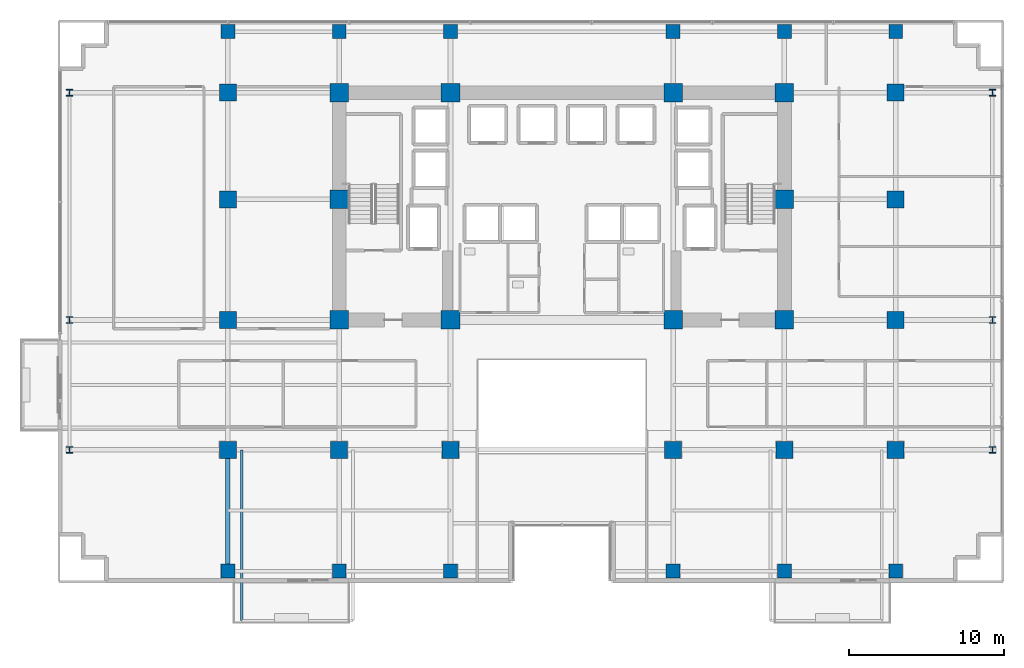
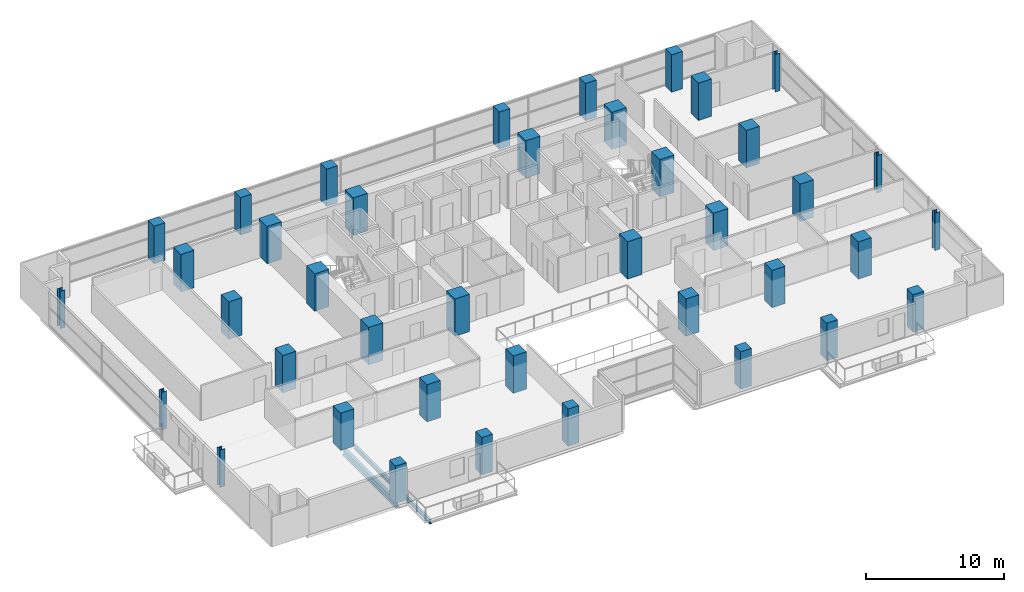
# One storey, part 1 of 31: 40 columns, 2 beams.
"""IFC4 building model written with IfcOpenShell, lengths in metres."""

import ifcopenshell
import ifcopenshell.guid

model = None  # the IFC model being written
_history = None  # IfcOwnerHistory: only IFC2X3 demands one
_inside = {}  # id of a spatial element -> (the spatial element, [elements in it])
_under = {}  # id of a project, library or spatial element -> (it, [spatial elements below it])
_declared = {}  # id of a project -> (the project, [libraries it declares])
_typed = {}  # id of a type object -> (the type object, [elements of that type])
_made_of = {}  # id of a material, layer set ... -> (it, [elements and type objects made of it])


def new_model(schema):
    """Start an empty IFC model of exactly this schema.

    Asked for "IFC4X3", IfcOpenShell would pick the latest addendum, in which some entities
    have other attributes; the version numbers below select the first issue.
    IFC2X3 requires an IfcOwnerHistory on every rooted entity: one is made here for all.
    """
    global model, _history
    if schema == "IFC4X3":
        model = ifcopenshell.file(schema_version=(4, 3, 0, 0))
    else:
        model = ifcopenshell.file(schema=schema)
    _inside.clear()
    _under.clear()
    _declared.clear()
    _typed.clear()
    _made_of.clear()
    _history = None
    if model.schema == "IFC2X3":
        org = make("IfcOrganization", Name="unknown")
        user = make(
            "IfcPersonAndOrganization",
            ThePerson=make("IfcPerson", FamilyName="unknown"),
            TheOrganization=org,
        )
        app = make(
            "IfcApplication",
            ApplicationDeveloper=org,
            Version="unknown",
            ApplicationFullName="unknown",
            ApplicationIdentifier="unknown",
        )
        _history = make(
            "IfcOwnerHistory",
            OwningUser=user,
            OwningApplication=app,
            ChangeAction="ADDED",
            CreationDate=0,
        )
    return model


def make(cls, **values):
    """One entity of the class cls with the attributes given. An attribute that is None is left unset."""
    return model.create_entity(
        cls, **{name: value for name, value in values.items() if value is not None}
    )


def rooted(cls, **values):
    """An entity with a GlobalId (a new one), such as an element, a storey or a relation."""
    return make(cls, GlobalId=ifcopenshell.guid.new(), OwnerHistory=_history, **values)


def si_unit(unit_type, name, prefix=None):
    """IfcSIUnit, for example si_unit("LENGTHUNIT", "METRE", prefix="MILLI")."""
    return make("IfcSIUnit", UnitType=unit_type, Prefix=prefix, Name=name)


def assignment(units):
    """IfcUnitAssignment: the units of a project."""
    return None if units is None else make("IfcUnitAssignment", Units=units)


def point(xyz):
    """IfcCartesianPoint."""
    return None if xyz is None else make("IfcCartesianPoint", Coordinates=xyz)


def direction(xyz):
    """IfcDirection."""
    return None if xyz is None else make("IfcDirection", DirectionRatios=xyz)


def frame(location, z_axis=None, x_axis=None):
    """IfcAxis2Placement3D, a coordinate frame: its origin and axes. An axis left out is left unset."""
    return make(
        "IfcAxis2Placement3D",
        Location=point(location),
        Axis=direction(z_axis),
        RefDirection=direction(x_axis),
    )


def frame_2d(location, x_axis=None):
    """IfcAxis2Placement2D, a coordinate frame in the plane: its origin and x axis."""
    return make(
        "IfcAxis2Placement2D", Location=point(location), RefDirection=direction(x_axis)
    )


def origin():
    """The frame at (0, 0, 0) with its axes left unset."""
    return frame((0.0, 0.0, 0.0))


def origin_2d():
    """The frame at (0, 0) in the plane with its x axis left unset."""
    return frame_2d((0.0, 0.0))


def place(relative_to, where):
    """IfcLocalPlacement: puts the frame where relative to a parent placement (None: the world)."""
    return make(
        "IfcLocalPlacement", PlacementRelTo=relative_to, RelativePlacement=where
    )


def context(
    kind, dimensions, precision=None, world=None, true_north=None, identifier=None
):
    """IfcGeometricRepresentationContext, for example the 3D "Model" context."""
    return make(
        "IfcGeometricRepresentationContext",
        ContextIdentifier=identifier,
        ContextType=kind,
        CoordinateSpaceDimension=dimensions,
        Precision=precision,
        WorldCoordinateSystem=world,
        TrueNorth=true_north,
    )


def subcontext(parent, identifier, kind, view, scale=None):
    """IfcGeometricRepresentationSubContext, for example "Body" below "Model"."""
    return make(
        "IfcGeometricRepresentationSubContext",
        ContextIdentifier=identifier,
        ContextType=kind,
        ParentContext=parent,
        TargetScale=scale,
        TargetView=view,
    )


def project(units=None, contexts=None):
    """IfcProject with its units and contexts."""
    return rooted(
        "IfcProject",
        Name="project",
        RepresentationContexts=contexts,
        UnitsInContext=assignment(units),
    )


def spatial(cls, under=None, at=None, **own):
    """A site, building, storey or space (cls), placed at a placement, below another one or the project."""
    s = rooted(cls, ObjectPlacement=at, **own)
    if under is not None:
        _under.setdefault(under.id(), (under, []))[1].append(s)
    return s


def profile(cls, at=None, kind="AREA", **sizes):
    """A parametric profile (cls). Its sizes go by their IFC names, for example OverallWidth=200.0."""
    return make(cls, ProfileType=kind, Position=at, **sizes)


def rectangle(**sizes):
    """IfcRectangleProfileDef."""
    return profile("IfcRectangleProfileDef", **sizes)


def i_section(**sizes):
    """IfcIShapeProfileDef."""
    return profile("IfcIShapeProfileDef", **sizes)


def extrude(swept, where, along, depth):
    """IfcExtrudedAreaSolid: the profile swept, set in the frame where, extruded along a direction by depth."""
    return make(
        "IfcExtrudedAreaSolid",
        SweptArea=swept,
        Position=where,
        ExtrudedDirection=direction(along),
        Depth=depth,
    )


def shape(context_of_items, identifier, shape_type, items):
    """IfcShapeRepresentation: the items that make up one representation, for example the "Body"."""
    return make(
        "IfcShapeRepresentation",
        ContextOfItems=context_of_items,
        RepresentationIdentifier=identifier,
        RepresentationType=shape_type,
        Items=items,
    )


def material(Name=None, Category=None):
    """IfcMaterial."""
    return make("IfcMaterial", Name=Name, Category=Category)


def material_profile(
    of_material, cross_section, Name=None, Category=None, Priority=None
):
    """IfcMaterialProfile: a cross section and its material."""
    return make(
        "IfcMaterialProfile",
        Name=Name,
        Material=of_material,
        Profile=cross_section,
        Priority=Priority,
        Category=Category,
    )


def profile_set(profiles, Name=None, composite=None):
    """IfcMaterialProfileSet."""
    return make(
        "IfcMaterialProfileSet",
        Name=Name,
        MaterialProfiles=profiles,
        CompositeProfile=composite,
    )


def made_of(thing, what):
    """Note that an element or type object is made of a material, layer set ...; save() writes the relation."""
    if what is not None:
        _made_of.setdefault(what.id(), (what, []))[1].append(thing)
    return thing


def type_object(cls, material=None, **own):
    """A type object (cls), such as IfcWallType, which elements share."""
    return made_of(rooted(cls, **own), material)


def element(
    cls,
    number,
    at=None,
    inside=None,
    cuts=None,
    type_object=None,
    material=None,
    context=None,
    identifier="Body",
    shape_type=None,
    held_by="IfcProductDefinitionShape",
    body=None,
    shapes=None,
    **own,
):
    """One element of the class cls, such as IfcWall. Its Tag is "e" and its number.

    at: its placement. inside: the storey or other place that contains it. cuts: it is an
    opening in that element (IfcRelVoidsElement). A single representation is given by context,
    identifier, shape_type and body (its items); several are given by shapes. held_by: the class
    of the entity that holds the representations. save() writes the other relations.
    """
    e = rooted(cls, Tag="e%d" % number, ObjectPlacement=at, **own)
    if body is not None:
        shapes = [shape(context, identifier, shape_type, body)]
    if shapes is not None:
        e.Representation = make(held_by, Representations=shapes)
    if inside is not None:
        _inside.setdefault(inside.id(), (inside, []))[1].append(e)
    if cuts is not None:
        rooted(
            "IfcRelVoidsElement", RelatingBuildingElement=cuts, RelatedOpeningElement=e
        )
    if type_object is not None:
        _typed.setdefault(type_object.id(), (type_object, []))[1].append(e)
    return made_of(e, material)


def aggregate(whole, parts):
    """IfcRelAggregates: a whole, such as a stair, and the parts it consists of."""
    return rooted("IfcRelAggregates", RelatingObject=whole, RelatedObjects=parts)


def save(model, path):
    """Write the relations noted so far, then the file.

    IfcRelAggregates (storeys below a building ...), IfcRelContainedInSpatialStructure (elements
    in a storey), IfcRelDefinesByType, IfcRelAssociatesMaterial and IfcRelDeclares: one each for
    every whole, place, type object, material and project.
    """
    for whole, parts in _under.values():
        aggregate(whole, parts)
    for where, things in _inside.values():
        rooted(
            "IfcRelContainedInSpatialStructure",
            RelatedElements=things,
            RelatingStructure=where,
        )
    for kind, things in _typed.values():
        rooted("IfcRelDefinesByType", RelatedObjects=things, RelatingType=kind)
    for what, things in _made_of.values():
        rooted("IfcRelAssociatesMaterial", RelatedObjects=things, RelatingMaterial=what)
    for by, libraries in _declared.values():
        rooted("IfcRelDeclares", RelatingContext=by, RelatedDefinitions=libraries)
    model.write(path)


model = new_model("IFC4")

# Units and contexts
model_context = context("Model", 3, precision=1e-05, world=origin(), true_north=direction((0.0, 1.0)))
body_context = subcontext(model_context, "Body", "Model", "MODEL_VIEW")
ifc_project = project(units=[si_unit("LENGTHUNIT", "METRE"), si_unit("AREAUNIT", "SQUARE_METRE"), si_unit("VOLUMEUNIT", "CUBIC_METRE"), si_unit("PLANEANGLEUNIT", "RADIAN"), si_unit("MASSUNIT", "GRAM", prefix="KILO")], contexts=[model_context])

# Site, building, storey
site_placement = place(None, origin())
site = spatial("IfcSite", under=ifc_project, at=site_placement, CompositionType="ELEMENT")
building_placement = place(site_placement, origin())
building = spatial("IfcBuilding", under=site, at=building_placement, Name="Zarnakvel Exchange Tower", CompositionType="ELEMENT")
storey_placement = place(building_placement, frame((0.0, 0.0, 47.199951171875)))
storey = spatial("IfcBuildingStorey", under=building, at=storey_placement, Name="L12", CompositionType="ELEMENT", Elevation=47.199951171875)

# Columns
ifc_material_1 = material(Name="Concrete C80/95", Category="concrete")
ifc_material_profile_1 = material_profile(ifc_material_1, rectangle(XDim=1.199951171875, YDim=1.199951171875, at=origin_2d()))
ifc_profile_set_1 = profile_set([ifc_material_profile_1], Name="Concrete C80/95")
column_type_1 = type_object("IfcColumnType", Name="CC-01", PredefinedType="COLUMN", material=ifc_profile_set_1)
for number, where, z_axis, x_axis, name in (
    (1, (-14.39990234375, -1.199951171875, 0.0), (0.0, 0.0, 1.0), (1.0, 0.0, 0.0), "L12 Column C-4D (CC-01)"),
    (2, (-7.199951171875, -1.199951171875, 0.0), (0.0, 0.0, 1.0), (1.0, 0.0, 0.0), "L12 Column C-5D (CC-01)"),
    (3, (7.199951171875, -1.199951171875, 0.0), (0.0, 0.0, 1.0), (1.0, 0.0, 0.0), "L12 Column C-8D (CC-01)"),
    (4, (14.39990234375, -1.199951171875, 0.0), (0.0, 0.0, 1.0), (1.0, 0.0, 0.0), "L12 Column C-9D (CC-01)"),
    (5, (-14.39990234375, 6.60009765625, 0.0), (0.0, 0.0, 1.0), (1.0, 0.0, 0.0), "L12 Column C-4E (CC-01)"),
    (6, (14.39990234375, 6.60009765625, 0.0), (0.0, 0.0, 1.0), (1.0, 0.0, 0.0), "L12 Column C-9E (CC-01)"),
    (7, (-14.39990234375, 13.5, 0.0), (0.0, 0.0, 1.0), (1.0, 0.0, 0.0), "L12 Column C-4F (CC-01)"),
    (8, (-7.199951171875, 13.5, 0.0), (0.0, 0.0, 1.0), (1.0, 0.0, 0.0), "L12 Column C-5F (CC-01)"),
    (9, (7.199951171875, 13.5, 0.0), (0.0, 0.0, 1.0), (1.0, 0.0, 0.0), "L12 Column C-8F (CC-01)"),
    (10, (14.39990234375, 13.5, 0.0), (0.0, 0.0, 1.0), (1.0, 0.0, 0.0), "L12 Column C-9F (CC-01)"),
):
    element("IfcColumn", number, at=place(storey_placement, frame(where, z_axis=z_axis, x_axis=x_axis)), inside=storey, type_object=column_type_1, Name=name, PredefinedType="COLUMN", context=body_context, shape_type="SweptSolid", body=[
        extrude(rectangle(XDim=1.199951171875, YDim=1.199951171875, at=origin_2d()), origin(), (0.0, 0.0, 1.0), 3.300048828125),
    ])
ifc_material_2 = material(Name="Steel S355", Category="steel")
ifc_material_profile_2 = material_profile(ifc_material_2, i_section(OverallWidth=0.412109375, OverallDepth=0.425048828125, WebThickness=0.02587890625, FlangeThickness=0.0390625, FilletRadius=0.014892578125, at=origin_2d()))
ifc_profile_set_2 = profile_set([ifc_material_profile_2], Name="Steel S355")
column_type_2 = type_object("IfcColumnType", Name="SC-01", PredefinedType="COLUMN", material=ifc_profile_set_2)
for number, where, z_axis, x_axis, name in (
    (11, (-31.85009765625, -9.60009765625, 0.0), (0.0, 0.0, 1.0), (1.0, 0.0, 0.0), "L12 Column TW-C (SC-01)"),
    (12, (27.85009765625, -9.60009765625, 0.0), (0.0, 0.0, 1.0), (1.0, 0.0, 0.0), "L12 Column TE-C (SC-01)"),
    (13, (-31.85009765625, -1.199951171875, 0.0), (0.0, 0.0, 1.0), (1.0, 0.0, 0.0), "L12 Column TW-D (SC-01)"),
    (14, (27.85009765625, -1.199951171875, 0.0), (0.0, 0.0, 1.0), (1.0, 0.0, 0.0), "L12 Column TE-D (SC-01)"),
    (15, (-31.85009765625, 13.5, 0.0), (0.0, 0.0, 1.0), (1.0, 0.0, 0.0), "L12 Column TW-F (SC-01)"),
    (16, (27.85009765625, 13.5, 0.0), (0.0, 0.0, 1.0), (1.0, 0.0, 0.0), "L12 Column TE-F (SC-01)"),
):
    element("IfcColumn", number, at=place(storey_placement, frame(where, z_axis=z_axis, x_axis=x_axis)), inside=storey, type_object=column_type_2, Name=name, PredefinedType="COLUMN", context=body_context, shape_type="SweptSolid", body=[
        extrude(i_section(OverallWidth=0.412109375, OverallDepth=0.425048828125, WebThickness=0.02587890625, FlangeThickness=0.0390625, FilletRadius=0.014892578125, at=origin_2d()), origin(), (0.0, 0.0, 1.0), 3.300048828125),
    ])
ifc_material_profile_3 = material_profile(ifc_material_1, rectangle(XDim=1.10009765625, YDim=1.10009765625, at=origin_2d()))
ifc_profile_set_3 = profile_set([ifc_material_profile_3], Name="Concrete C80/95")
column_type_3 = type_object("IfcColumnType", Name="TC-01", PredefinedType="COLUMN", material=ifc_profile_set_3)
for number, where, z_axis, x_axis, name in (
    (17, (-14.39990234375, -9.60009765625, 0.0), (0.0, 0.0, 1.0), (1.0, 0.0, 0.0), "L12 Column T-4C (TC-01)"),
    (18, (-7.199951171875, -9.60009765625, 0.0), (0.0, 0.0, 1.0), (1.0, 0.0, 0.0), "L12 Column T-5C (TC-01)"),
    (19, (7.199951171875, -9.60009765625, 0.0), (0.0, 0.0, 1.0), (1.0, 0.0, 0.0), "L12 Column T-8C (TC-01)"),
    (20, (14.39990234375, -9.60009765625, 0.0), (0.0, 0.0, 1.0), (1.0, 0.0, 0.0), "L12 Column T-9C (TC-01)"),
    (21, (-21.60009765625, -9.60009765625, 0.0), (0.0, 0.0, 1.0), (1.0, 0.0, 0.0), "L12 Column T-3C (TC-01)"),
    (22, (-21.60009765625, -1.199951171875, 0.0), (0.0, 0.0, 1.0), (1.0, 0.0, 0.0), "L12 Column T-3D (TC-01)"),
    (23, (-21.60009765625, 6.60009765625, 0.0), (0.0, 0.0, 1.0), (1.0, 0.0, 0.0), "L12 Column T-3E (TC-01)"),
    (24, (-21.60009765625, 13.5, 0.0), (0.0, 0.0, 1.0), (1.0, 0.0, 0.0), "L12 Column T-3F (TC-01)"),
    (25, (21.60009765625, -9.60009765625, 0.0), (0.0, 0.0, 1.0), (1.0, 0.0, 0.0), "L12 Column T-10C (TC-01)"),
    (26, (21.60009765625, -1.199951171875, 0.0), (0.0, 0.0, 1.0), (1.0, 0.0, 0.0), "L12 Column T-10D (TC-01)"),
    (27, (21.60009765625, 6.60009765625, 0.0), (0.0, 0.0, 1.0), (1.0, 0.0, 0.0), "L12 Column T-10E (TC-01)"),
    (28, (21.60009765625, 13.5, 0.0), (0.0, 0.0, 1.0), (1.0, 0.0, 0.0), "L12 Column T-10F (TC-01)"),
):
    element("IfcColumn", number, at=place(storey_placement, frame(where, z_axis=z_axis, x_axis=x_axis)), inside=storey, type_object=column_type_3, Name=name, PredefinedType="COLUMN", context=body_context, shape_type="SweptSolid", body=[
        extrude(rectangle(XDim=1.10009765625, YDim=1.10009765625, at=origin_2d()), origin(), (0.0, 0.0, 1.0), 3.300048828125),
    ])
ifc_material_3 = material(Name="Concrete C60/75", Category="concrete")
ifc_material_profile_4 = material_profile(ifc_material_3, rectangle(XDim=0.89990234375, YDim=0.89990234375, at=origin_2d()))
ifc_profile_set_4 = profile_set([ifc_material_profile_4], Name="Concrete C60/75")
column_type_4 = type_object("IfcColumnType", Name="TC-02", PredefinedType="COLUMN", material=ifc_profile_set_4)
for number, where, z_axis, x_axis, name in (
    (29, (-14.39990234375, -17.449951171875, 0.0), (0.0, 0.0, 1.0), (1.0, 0.0, 0.0), "L12 Column TS-4 (TC-02)"),
    (30, (-14.39990234375, 17.449951171875, 0.0), (0.0, 0.0, 1.0), (1.0, 0.0, 0.0), "L12 Column TN-4 (TC-02)"),
    (31, (-7.199951171875, -17.449951171875, 0.0), (0.0, 0.0, 1.0), (1.0, 0.0, 0.0), "L12 Column TS-5 (TC-02)"),
    (32, (-7.199951171875, 17.449951171875, 0.0), (0.0, 0.0, 1.0), (1.0, 0.0, 0.0), "L12 Column TN-5 (TC-02)"),
    (33, (7.199951171875, -17.449951171875, 0.0), (0.0, 0.0, 1.0), (1.0, 0.0, 0.0), "L12 Column TS-8 (TC-02)"),
    (34, (7.199951171875, 17.449951171875, 0.0), (0.0, 0.0, 1.0), (1.0, 0.0, 0.0), "L12 Column TN-8 (TC-02)"),
    (35, (14.39990234375, -17.449951171875, 0.0), (0.0, 0.0, 1.0), (1.0, 0.0, 0.0), "L12 Column TS-9 (TC-02)"),
    (36, (14.39990234375, 17.449951171875, 0.0), (0.0, 0.0, 1.0), (1.0, 0.0, 0.0), "L12 Column TN-9 (TC-02)"),
    (37, (-21.60009765625, -17.449951171875, 0.0), (0.0, 0.0, 1.0), (1.0, 0.0, 0.0), "L12 Column TS-3 (TC-02)"),
    (38, (-21.60009765625, 17.449951171875, 0.0), (0.0, 0.0, 1.0), (1.0, 0.0, 0.0), "L12 Column TN-3 (TC-02)"),
    (39, (21.60009765625, -17.449951171875, 0.0), (0.0, 0.0, 1.0), (1.0, 0.0, 0.0), "L12 Column TS-10 (TC-02)"),
    (40, (21.60009765625, 17.449951171875, 0.0), (0.0, 0.0, 1.0), (1.0, 0.0, 0.0), "L12 Column TN-10 (TC-02)"),
):
    element("IfcColumn", number, at=place(storey_placement, frame(where, z_axis=z_axis, x_axis=x_axis)), inside=storey, type_object=column_type_4, Name=name, PredefinedType="COLUMN", context=body_context, shape_type="SweptSolid", body=[
        extrude(rectangle(XDim=0.89990234375, YDim=0.89990234375, at=origin_2d()), origin(), (0.0, 0.0, 1.0), 3.300048828125),
    ])

# Beams
ifc_material_profile_5 = material_profile(ifc_material_2, i_section(OverallWidth=0.179931640625, OverallDepth=0.39990234375, WebThickness=0.008544921875, FlangeThickness=0.013427734375, FilletRadius=0.02099609375, at=origin_2d()))
ifc_profile_set_5 = profile_set([ifc_material_profile_5], Name="Steel S355")
beam_type_1 = type_object("IfcBeamType", Name="B-06", PredefinedType="JOIST", material=ifc_profile_set_5)
beam_1_placement = place(storey_placement, frame((-20.699951171875, -9.60009765625, -0.425048828125), z_axis=(0.0, -1.0, 0.0), x_axis=(1.0, 0.0, 0.0)))
element("IfcBeam", 41, at=beam_1_placement, inside=storey, type_object=beam_type_1, Name="L12 Continuous Back-Spanned Balcony Beam W", PredefinedType="JOIST", context=body_context, shape_type="SweptSolid", body=[
    extrude(i_section(OverallWidth=0.179931640625, OverallDepth=0.39990234375, WebThickness=0.008544921875, FlangeThickness=0.013427734375, FilletRadius=0.02099609375, at=origin_2d()), origin(), (0.0, 0.0, 1.0), 11.0498046875),
])
ifc_material_profile_6 = material_profile(ifc_material_2, i_section(OverallWidth=0.300048828125, OverallDepth=0.60009765625, WebThickness=0.015380859375, FlangeThickness=0.030029296875, FilletRadius=0.027099609375, at=origin_2d()))
ifc_profile_set_6 = profile_set([ifc_material_profile_6], Name="Steel S355")
beam_type_2 = type_object("IfcBeamType", Name="G-04", PredefinedType="BEAM", material=ifc_profile_set_6)
beam_2_placement = place(storey_placement, frame((-21.60009765625, -17.449951171875, -0.52490234375), z_axis=(0.0, 1.0, 0.0), x_axis=(-1.0, 0.0, 0.0)))
element("IfcBeam", 42, at=beam_2_placement, inside=storey, type_object=beam_type_2, Name="L12 Tower N-S Frame Beam", PredefinedType="BEAM", context=body_context, shape_type="SweptSolid", body=[
    extrude(i_section(OverallWidth=0.300048828125, OverallDepth=0.60009765625, WebThickness=0.015380859375, FlangeThickness=0.030029296875, FilletRadius=0.027099609375, at=origin_2d()), origin(), (0.0, 0.0, 1.0), 7.849853515625),
])

save(model, "model.ifc")
